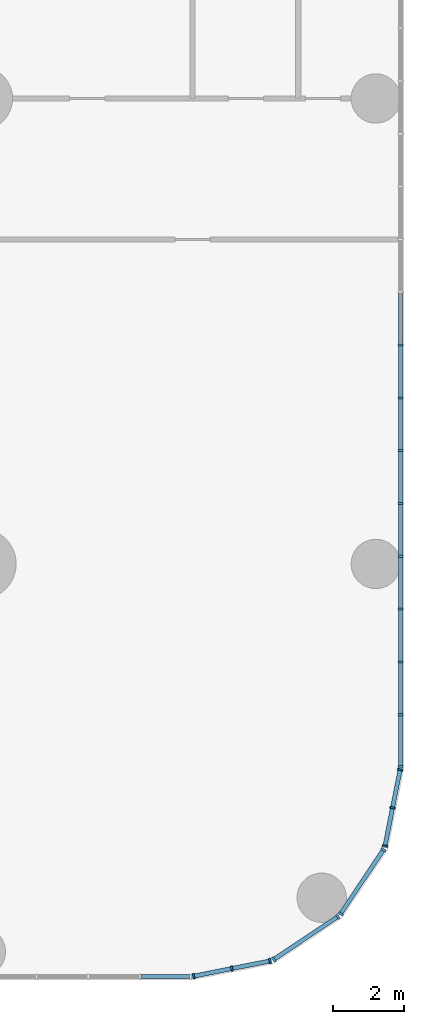
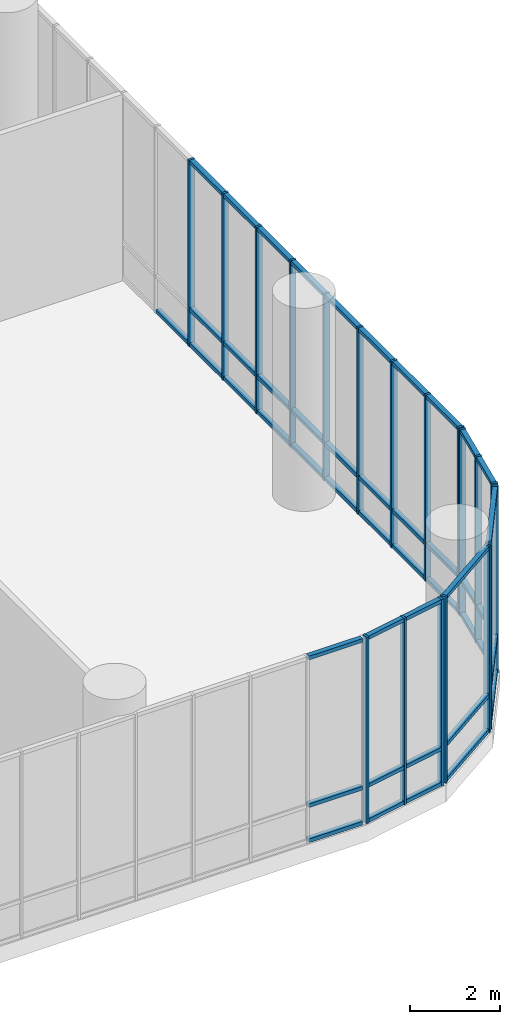
# One storey, part 11 of 28: 65 members, 6 elements without a shape of their own.
"""IFC4 building model written with IfcOpenShell, lengths in metres."""

import ifcopenshell
import ifcopenshell.guid

model = None  # the IFC model being written
_history = None  # IfcOwnerHistory: only IFC2X3 demands one
_inside = {}  # id of a spatial element -> (the spatial element, [elements in it])
_under = {}  # id of a project, library or spatial element -> (it, [spatial elements below it])
_declared = {}  # id of a project -> (the project, [libraries it declares])
_typed = {}  # id of a type object -> (the type object, [elements of that type])
_made_of = {}  # id of a material, layer set ... -> (it, [elements and type objects made of it])


def new_model(schema):
    """Start an empty IFC model of exactly this schema.

    Asked for "IFC4X3", IfcOpenShell would pick the latest addendum, in which some entities
    have other attributes; the version numbers below select the first issue.
    IFC2X3 requires an IfcOwnerHistory on every rooted entity: one is made here for all.
    """
    global model, _history
    if schema == "IFC4X3":
        model = ifcopenshell.file(schema_version=(4, 3, 0, 0))
    else:
        model = ifcopenshell.file(schema=schema)
    _inside.clear()
    _under.clear()
    _declared.clear()
    _typed.clear()
    _made_of.clear()
    _history = None
    if model.schema == "IFC2X3":
        org = make("IfcOrganization", Name="unknown")
        user = make(
            "IfcPersonAndOrganization",
            ThePerson=make("IfcPerson", FamilyName="unknown"),
            TheOrganization=org,
        )
        app = make(
            "IfcApplication",
            ApplicationDeveloper=org,
            Version="unknown",
            ApplicationFullName="unknown",
            ApplicationIdentifier="unknown",
        )
        _history = make(
            "IfcOwnerHistory",
            OwningUser=user,
            OwningApplication=app,
            ChangeAction="ADDED",
            CreationDate=0,
        )
    return model


def make(cls, **values):
    """One entity of the class cls with the attributes given. An attribute that is None is left unset."""
    return model.create_entity(
        cls, **{name: value for name, value in values.items() if value is not None}
    )


def rooted(cls, **values):
    """An entity with a GlobalId (a new one), such as an element, a storey or a relation."""
    return make(cls, GlobalId=ifcopenshell.guid.new(), OwnerHistory=_history, **values)


def si_unit(unit_type, name, prefix=None):
    """IfcSIUnit, for example si_unit("LENGTHUNIT", "METRE", prefix="MILLI")."""
    return make("IfcSIUnit", UnitType=unit_type, Prefix=prefix, Name=name)


def assignment(units):
    """IfcUnitAssignment: the units of a project."""
    return None if units is None else make("IfcUnitAssignment", Units=units)


def point(xyz):
    """IfcCartesianPoint."""
    return None if xyz is None else make("IfcCartesianPoint", Coordinates=xyz)


def direction(xyz):
    """IfcDirection."""
    return None if xyz is None else make("IfcDirection", DirectionRatios=xyz)


def frame(location, z_axis=None, x_axis=None):
    """IfcAxis2Placement3D, a coordinate frame: its origin and axes. An axis left out is left unset."""
    return make(
        "IfcAxis2Placement3D",
        Location=point(location),
        Axis=direction(z_axis),
        RefDirection=direction(x_axis),
    )


def frame_2d(location, x_axis=None):
    """IfcAxis2Placement2D, a coordinate frame in the plane: its origin and x axis."""
    return make(
        "IfcAxis2Placement2D", Location=point(location), RefDirection=direction(x_axis)
    )


def origin():
    """The frame at (0, 0, 0) with its axes left unset."""
    return frame((0.0, 0.0, 0.0))


def origin_2d():
    """The frame at (0, 0) in the plane with its x axis left unset."""
    return frame_2d((0.0, 0.0))


def place(relative_to, where):
    """IfcLocalPlacement: puts the frame where relative to a parent placement (None: the world)."""
    return make(
        "IfcLocalPlacement", PlacementRelTo=relative_to, RelativePlacement=where
    )


def context(
    kind, dimensions, precision=None, world=None, true_north=None, identifier=None
):
    """IfcGeometricRepresentationContext, for example the 3D "Model" context."""
    return make(
        "IfcGeometricRepresentationContext",
        ContextIdentifier=identifier,
        ContextType=kind,
        CoordinateSpaceDimension=dimensions,
        Precision=precision,
        WorldCoordinateSystem=world,
        TrueNorth=true_north,
    )


def subcontext(parent, identifier, kind, view, scale=None):
    """IfcGeometricRepresentationSubContext, for example "Body" below "Model"."""
    return make(
        "IfcGeometricRepresentationSubContext",
        ContextIdentifier=identifier,
        ContextType=kind,
        ParentContext=parent,
        TargetScale=scale,
        TargetView=view,
    )


def project(units=None, contexts=None):
    """IfcProject with its units and contexts."""
    return rooted(
        "IfcProject",
        Name="project",
        RepresentationContexts=contexts,
        UnitsInContext=assignment(units),
    )


def spatial(cls, under=None, at=None, **own):
    """A site, building, storey or space (cls), placed at a placement, below another one or the project."""
    s = rooted(cls, ObjectPlacement=at, **own)
    if under is not None:
        _under.setdefault(under.id(), (under, []))[1].append(s)
    return s


def profile(cls, at=None, kind="AREA", **sizes):
    """A parametric profile (cls). Its sizes go by their IFC names, for example OverallWidth=200.0."""
    return make(cls, ProfileType=kind, Position=at, **sizes)


def rectangle(**sizes):
    """IfcRectangleProfileDef."""
    return profile("IfcRectangleProfileDef", **sizes)


def extrude(swept, where, along, depth):
    """IfcExtrudedAreaSolid: the profile swept, set in the frame where, extruded along a direction by depth."""
    return make(
        "IfcExtrudedAreaSolid",
        SweptArea=swept,
        Position=where,
        ExtrudedDirection=direction(along),
        Depth=depth,
    )


def shape(context_of_items, identifier, shape_type, items):
    """IfcShapeRepresentation: the items that make up one representation, for example the "Body"."""
    return make(
        "IfcShapeRepresentation",
        ContextOfItems=context_of_items,
        RepresentationIdentifier=identifier,
        RepresentationType=shape_type,
        Items=items,
    )


def material(Name=None, Category=None):
    """IfcMaterial."""
    return make("IfcMaterial", Name=Name, Category=Category)


def layer(
    of_material, thickness, ventilated=None, Name=None, Category=None, Priority=None
):
    """IfcMaterialLayer: one layer of a wall or slab, of a material (None: an air gap)."""
    return make(
        "IfcMaterialLayer",
        Material=of_material,
        LayerThickness=thickness,
        IsVentilated=ventilated,
        Name=Name,
        Category=Category,
        Priority=Priority,
    )


def layer_set(layers, Name=None):
    """IfcMaterialLayerSet."""
    return make("IfcMaterialLayerSet", MaterialLayers=layers, LayerSetName=Name)


def material_profile(
    of_material, cross_section, Name=None, Category=None, Priority=None
):
    """IfcMaterialProfile: a cross section and its material."""
    return make(
        "IfcMaterialProfile",
        Name=Name,
        Material=of_material,
        Profile=cross_section,
        Priority=Priority,
        Category=Category,
    )


def profile_set(profiles, Name=None, composite=None):
    """IfcMaterialProfileSet."""
    return make(
        "IfcMaterialProfileSet",
        Name=Name,
        MaterialProfiles=profiles,
        CompositeProfile=composite,
    )


def made_of(thing, what):
    """Note that an element or type object is made of a material, layer set ...; save() writes the relation."""
    if what is not None:
        _made_of.setdefault(what.id(), (what, []))[1].append(thing)
    return thing


def type_object(cls, material=None, **own):
    """A type object (cls), such as IfcWallType, which elements share."""
    return made_of(rooted(cls, **own), material)


def element(
    cls,
    number,
    at=None,
    inside=None,
    cuts=None,
    type_object=None,
    material=None,
    context=None,
    identifier="Body",
    shape_type=None,
    held_by="IfcProductDefinitionShape",
    body=None,
    shapes=None,
    **own,
):
    """One element of the class cls, such as IfcWall. Its Tag is "e" and its number.

    at: its placement. inside: the storey or other place that contains it. cuts: it is an
    opening in that element (IfcRelVoidsElement). A single representation is given by context,
    identifier, shape_type and body (its items); several are given by shapes. held_by: the class
    of the entity that holds the representations. save() writes the other relations.
    """
    e = rooted(cls, Tag="e%d" % number, ObjectPlacement=at, **own)
    if body is not None:
        shapes = [shape(context, identifier, shape_type, body)]
    if shapes is not None:
        e.Representation = make(held_by, Representations=shapes)
    if inside is not None:
        _inside.setdefault(inside.id(), (inside, []))[1].append(e)
    if cuts is not None:
        rooted(
            "IfcRelVoidsElement", RelatingBuildingElement=cuts, RelatedOpeningElement=e
        )
    if type_object is not None:
        _typed.setdefault(type_object.id(), (type_object, []))[1].append(e)
    return made_of(e, material)


def aggregate(whole, parts):
    """IfcRelAggregates: a whole, such as a stair, and the parts it consists of."""
    return rooted("IfcRelAggregates", RelatingObject=whole, RelatedObjects=parts)


def save(model, path):
    """Write the relations noted so far, then the file.

    IfcRelAggregates (storeys below a building ...), IfcRelContainedInSpatialStructure (elements
    in a storey), IfcRelDefinesByType, IfcRelAssociatesMaterial and IfcRelDeclares: one each for
    every whole, place, type object, material and project.
    """
    for whole, parts in _under.values():
        aggregate(whole, parts)
    for where, things in _inside.values():
        rooted(
            "IfcRelContainedInSpatialStructure",
            RelatedElements=things,
            RelatingStructure=where,
        )
    for kind, things in _typed.values():
        rooted("IfcRelDefinesByType", RelatedObjects=things, RelatingType=kind)
    for what, things in _made_of.values():
        rooted("IfcRelAssociatesMaterial", RelatedObjects=things, RelatingMaterial=what)
    for by, libraries in _declared.values():
        rooted("IfcRelDeclares", RelatingContext=by, RelatedDefinitions=libraries)
    model.write(path)


model = new_model("IFC4")

# Units and contexts
model_context = context("Model", 3, precision=1e-05, world=origin(), true_north=direction((0.0, 1.0)))
body_context = subcontext(model_context, "Body", "Model", "MODEL_VIEW")
ifc_project = project(units=[si_unit("LENGTHUNIT", "METRE"), si_unit("AREAUNIT", "SQUARE_METRE"), si_unit("VOLUMEUNIT", "CUBIC_METRE"), si_unit("PLANEANGLEUNIT", "RADIAN"), si_unit("MASSUNIT", "GRAM", prefix="KILO")], contexts=[model_context])

# Site, building, storey
site_placement = place(None, origin())
site = spatial("IfcSite", under=ifc_project, at=site_placement, CompositionType="ELEMENT")
building_placement = place(site_placement, origin())
building = spatial("IfcBuilding", under=site, at=building_placement, Name="Torana Hotel and Residences", CompositionType="ELEMENT")
storey_placement = place(building_placement, frame((0.0, 0.0, 7.0)))
storey = spatial("IfcBuildingStorey", under=building, at=storey_placement, Name="L01", CompositionType="ELEMENT", Elevation=7.0)

# Curtain wall, members
ifc_material_1 = material(Name="Dark anodised aluminium", Category="aluminium")
ifc_layer = layer(ifc_material_1, 0.14990234375)
ifc_layer_set = layer_set([ifc_layer], Name="CW5 PODIUM UPPER UNITISED CURTAIN WALL")
curtain_wall_type = type_object("IfcCurtainWallType", Name="CW5 PODIUM UPPER UNITISED CURTAIN WALL", PredefinedType="NOTDEFINED", material=ifc_layer_set)
curtain_wall_1_placement = place(storey_placement, origin())
curtain_wall_1 = element("IfcCurtainWall", 1, at=curtain_wall_1_placement, inside=storey, type_object=curtain_wall_type, Name="Curtain wall CW5 L01 e1.1", PredefinedType="NOTDEFINED")
ifc_material_2 = material(Name="Dark anodised aluminium", Category="aluminium")
ifc_material_profile_1 = material_profile(ifc_material_2, rectangle(XDim=0.14990234375, YDim=0.06005859375, at=origin_2d()), Name="CW5 MULLION 60x150")
ifc_profile_set_1 = profile_set([ifc_material_profile_1], Name="Dark anodised aluminium")
member_type_1 = type_object("IfcMemberType", Name="CW5 MULLION 60x150", PredefinedType="MULLION", material=ifc_profile_set_1)
member_1_placement = place(storey_placement, frame((42.033935546875, -39.891357421875, 0.0), z_axis=(0.0, 0.0, 1.0), x_axis=(-0.195080996415, 0.980787135335, 0.0)))
member_1 = element("IfcMember", 2, at=member_1_placement, type_object=member_type_1, Name="CW5 mullion 1", PredefinedType="MULLION", context=body_context, shape_type="SweptSolid", body=[
    extrude(rectangle(XDim=0.14990234375, YDim=0.06005859375, at=origin_2d()), origin(), (0.0, 0.0, 1.0), 5.050048828125),
])
member_2_placement = place(storey_placement, frame((43.1162109375, -39.676025390625, 0.0), z_axis=(0.0, 0.0, 1.0), x_axis=(-0.195080996415, 0.980787135335, 0.0)))
member_2 = element("IfcMember", 3, at=member_2_placement, type_object=member_type_1, Name="CW5 mullion 2", PredefinedType="MULLION", context=body_context, shape_type="SweptSolid", body=[
    extrude(rectangle(XDim=0.14990234375, YDim=0.06005859375, at=origin_2d()), origin(), (0.0, 0.0, 1.0), 5.050048828125),
])
member_3_placement = place(storey_placement, frame((44.198486328125, -39.460693359375, 0.0), z_axis=(0.0, 0.0, 1.0), x_axis=(-0.195080996415, 0.980787135335, 0.0)))
member_3 = element("IfcMember", 4, at=member_3_placement, type_object=member_type_1, Name="CW5 mullion 3", PredefinedType="MULLION", context=body_context, shape_type="SweptSolid", body=[
    extrude(rectangle(XDim=0.14990234375, YDim=0.06005859375, at=origin_2d()), origin(), (0.0, 0.0, 1.0), 5.050048828125),
])

curtain_wall_2_placement = place(storey_placement, origin())
curtain_wall_2 = element("IfcCurtainWall", 5, at=curtain_wall_2_placement, inside=storey, type_object=curtain_wall_type, Name="Curtain wall CW5 L01 e1.2", PredefinedType="NOTDEFINED")
member_4_placement = place(storey_placement, frame((44.306884765625, -39.415771484375, 0.0), z_axis=(0.0, 0.0, 1.0), x_axis=(-0.555585238723, 0.831459585616, 0.0)))
member_4 = element("IfcMember", 6, at=member_4_placement, type_object=member_type_1, Name="CW5 mullion 1", PredefinedType="MULLION", context=body_context, shape_type="SweptSolid", body=[
    extrude(rectangle(XDim=0.14990234375, YDim=0.06005859375, at=origin_2d()), origin(), (0.0, 0.0, 1.0), 5.050048828125),
])
member_5_placement = place(storey_placement, frame((46.120849609375, -38.203857421875, 0.0), z_axis=(0.0, 0.0, 1.0), x_axis=(-0.555585238723, 0.831459585616, 0.0)))
member_5 = element("IfcMember", 7, at=member_5_placement, type_object=member_type_1, Name="CW5 mullion 2", PredefinedType="MULLION", context=body_context, shape_type="SweptSolid", body=[
    extrude(rectangle(XDim=0.14990234375, YDim=0.06005859375, at=origin_2d()), origin(), (0.0, 0.0, 1.0), 5.050048828125),
])

curtain_wall_3_placement = place(storey_placement, origin())
curtain_wall_3 = element("IfcCurtainWall", 8, at=curtain_wall_3_placement, inside=storey, type_object=curtain_wall_type, Name="Curtain wall CW5 L01 e1.3", PredefinedType="NOTDEFINED")
member_6_placement = place(storey_placement, frame((46.203857421875, -38.120849609375, 0.0), z_axis=(0.0, 0.0, 1.0), x_axis=(-0.831459585616, 0.555585238723, 0.0)))
member_6 = element("IfcMember", 9, at=member_6_placement, type_object=member_type_1, Name="CW5 mullion 1", PredefinedType="MULLION", context=body_context, shape_type="SweptSolid", body=[
    extrude(rectangle(XDim=0.14990234375, YDim=0.06005859375, at=origin_2d()), origin(), (0.0, 0.0, 1.0), 5.050048828125),
])
member_7_placement = place(storey_placement, frame((47.415771484375, -36.306884765625, 0.0), z_axis=(0.0, 0.0, 1.0), x_axis=(-0.831459585616, 0.555585238723, 0.0)))
member_7 = element("IfcMember", 10, at=member_7_placement, type_object=member_type_1, Name="CW5 mullion 2", PredefinedType="MULLION", context=body_context, shape_type="SweptSolid", body=[
    extrude(rectangle(XDim=0.14990234375, YDim=0.06005859375, at=origin_2d()), origin(), (0.0, 0.0, 1.0), 5.050048828125),
])

curtain_wall_4_placement = place(storey_placement, origin())
curtain_wall_4 = element("IfcCurtainWall", 11, at=curtain_wall_4_placement, inside=storey, type_object=curtain_wall_type, Name="Curtain wall CW5 L01 e1.4", PredefinedType="NOTDEFINED")
member_8_placement = place(storey_placement, frame((47.460693359375, -36.198486328125, 0.0), z_axis=(0.0, 0.0, 1.0), x_axis=(-0.980787135335, 0.195080996415, 0.0)))
member_8 = element("IfcMember", 12, at=member_8_placement, type_object=member_type_1, Name="CW5 mullion 1", PredefinedType="MULLION", context=body_context, shape_type="SweptSolid", body=[
    extrude(rectangle(XDim=0.14990234375, YDim=0.06005859375, at=origin_2d()), origin(), (0.0, 0.0, 1.0), 5.050048828125),
])
member_9_placement = place(storey_placement, frame((47.676025390625, -35.1162109375, 0.0), z_axis=(0.0, 0.0, 1.0), x_axis=(-0.980787135335, 0.195080996415, 0.0)))
member_9 = element("IfcMember", 13, at=member_9_placement, type_object=member_type_1, Name="CW5 mullion 2", PredefinedType="MULLION", context=body_context, shape_type="SweptSolid", body=[
    extrude(rectangle(XDim=0.14990234375, YDim=0.06005859375, at=origin_2d()), origin(), (0.0, 0.0, 1.0), 5.050048828125),
])
member_10_placement = place(storey_placement, frame((47.891357421875, -34.033935546875, 0.0), z_axis=(0.0, 0.0, 1.0), x_axis=(-0.980787135335, 0.195080996415, 0.0)))
member_10 = element("IfcMember", 14, at=member_10_placement, type_object=member_type_1, Name="CW5 mullion 3", PredefinedType="MULLION", context=body_context, shape_type="SweptSolid", body=[
    extrude(rectangle(XDim=0.14990234375, YDim=0.06005859375, at=origin_2d()), origin(), (0.0, 0.0, 1.0), 5.050048828125),
])

curtain_wall_5_placement = place(storey_placement, origin())
curtain_wall_5 = element("IfcCurtainWall", 15, at=curtain_wall_5_placement, inside=storey, type_object=curtain_wall_type, Name="Curtain wall CW5 L01 e1.5", PredefinedType="NOTDEFINED")
member_11_placement = place(storey_placement, frame((47.89990234375, -33.9453125, 0.0), z_axis=(0.0, 0.0, 1.0), x_axis=(-1.0, 0.0, 0.0)))
member_11 = element("IfcMember", 16, at=member_11_placement, type_object=member_type_1, Name="CW5 mullion 1", PredefinedType="MULLION", context=body_context, shape_type="SweptSolid", body=[
    extrude(rectangle(XDim=0.14990234375, YDim=0.06005859375, at=origin_2d()), origin(), (0.0, 0.0, 1.0), 5.050048828125),
])
member_12_placement = place(storey_placement, frame((47.89990234375, -32.4775390625, 0.0), z_axis=(0.0, 0.0, 1.0), x_axis=(-1.0, 0.0, 0.0)))
member_12 = element("IfcMember", 17, at=member_12_placement, type_object=member_type_1, Name="CW5 mullion 2", PredefinedType="MULLION", context=body_context, shape_type="SweptSolid", body=[
    extrude(rectangle(XDim=0.14990234375, YDim=0.06005859375, at=origin_2d()), origin(), (0.0, 0.0, 1.0), 5.050048828125),
])
member_13_placement = place(storey_placement, frame((47.89990234375, -30.9794921875, 0.0), z_axis=(0.0, 0.0, 1.0), x_axis=(-1.0, 0.0, 0.0)))
member_13 = element("IfcMember", 18, at=member_13_placement, type_object=member_type_1, Name="CW5 mullion 3", PredefinedType="MULLION", context=body_context, shape_type="SweptSolid", body=[
    extrude(rectangle(XDim=0.14990234375, YDim=0.06005859375, at=origin_2d()), origin(), (0.0, 0.0, 1.0), 5.050048828125),
])
member_14_placement = place(storey_placement, frame((47.89990234375, -29.4814453125, 0.0), z_axis=(0.0, 0.0, 1.0), x_axis=(-1.0, 0.0, 0.0)))
member_14 = element("IfcMember", 19, at=member_14_placement, type_object=member_type_1, Name="CW5 mullion 4", PredefinedType="MULLION", context=body_context, shape_type="SweptSolid", body=[
    extrude(rectangle(XDim=0.14990234375, YDim=0.06005859375, at=origin_2d()), origin(), (0.0, 0.0, 1.0), 5.050048828125),
])
member_15_placement = place(storey_placement, frame((47.89990234375, -27.983642578125, 0.0), z_axis=(0.0, 0.0, 1.0), x_axis=(-1.0, 0.0, 0.0)))
member_15 = element("IfcMember", 20, at=member_15_placement, type_object=member_type_1, Name="CW5 mullion 5", PredefinedType="MULLION", context=body_context, shape_type="SweptSolid", body=[
    extrude(rectangle(XDim=0.14990234375, YDim=0.06005859375, at=origin_2d()), origin(), (0.0, 0.0, 1.0), 5.050048828125),
])
member_16_placement = place(storey_placement, frame((47.89990234375, -26.485595703125, 0.0), z_axis=(0.0, 0.0, 1.0), x_axis=(-1.0, 0.0, 0.0)))
member_16 = element("IfcMember", 21, at=member_16_placement, type_object=member_type_1, Name="CW5 mullion 6", PredefinedType="MULLION", context=body_context, shape_type="SweptSolid", body=[
    extrude(rectangle(XDim=0.14990234375, YDim=0.06005859375, at=origin_2d()), origin(), (0.0, 0.0, 1.0), 5.050048828125),
])
member_17_placement = place(storey_placement, frame((47.89990234375, -24.98779296875, 0.0), z_axis=(0.0, 0.0, 1.0), x_axis=(-1.0, 0.0, 0.0)))
member_17 = element("IfcMember", 22, at=member_17_placement, type_object=member_type_1, Name="CW5 mullion 7", PredefinedType="MULLION", context=body_context, shape_type="SweptSolid", body=[
    extrude(rectangle(XDim=0.14990234375, YDim=0.06005859375, at=origin_2d()), origin(), (0.0, 0.0, 1.0), 5.050048828125),
])
member_18_placement = place(storey_placement, frame((47.89990234375, -23.48974609375, 0.0), z_axis=(0.0, 0.0, 1.0), x_axis=(-1.0, 0.0, 0.0)))
member_18 = element("IfcMember", 23, at=member_18_placement, type_object=member_type_1, Name="CW5 mullion 8", PredefinedType="MULLION", context=body_context, shape_type="SweptSolid", body=[
    extrude(rectangle(XDim=0.14990234375, YDim=0.06005859375, at=origin_2d()), origin(), (0.0, 0.0, 1.0), 5.050048828125),
])
member_19_placement = place(storey_placement, frame((47.89990234375, -21.99169921875, 0.0), z_axis=(0.0, 0.0, 1.0), x_axis=(-1.0, 0.0, 0.0)))
member_19 = element("IfcMember", 24, at=member_19_placement, type_object=member_type_1, Name="CW5 mullion 9", PredefinedType="MULLION", context=body_context, shape_type="SweptSolid", body=[
    extrude(rectangle(XDim=0.14990234375, YDim=0.06005859375, at=origin_2d()), origin(), (0.0, 0.0, 1.0), 5.050048828125),
])

curtain_wall_6_placement = place(storey_placement, origin())
curtain_wall_6 = element("IfcCurtainWall", 25, at=curtain_wall_6_placement, inside=storey, type_object=curtain_wall_type, Name="Curtain wall CW5 L01 e1.0", PredefinedType="NOTDEFINED")
ifc_material_3 = material(Name="Dark anodised aluminium", Category="aluminium")
ifc_material_profile_2 = material_profile(ifc_material_3, rectangle(XDim=0.1201171875, YDim=0.10009765625, at=origin_2d()), Name="CW5 TRANSOM 120x100")
ifc_profile_set_2 = profile_set([ifc_material_profile_2], Name="Dark anodised aluminium")
member_type_2 = type_object("IfcMemberType", Name="CW5 TRANSOM 120x100", PredefinedType="USERDEFINED", material=ifc_profile_set_2)
member_20_placement = place(storey_placement, frame((40.539794921875, -39.89990234375, 0.050048828125), z_axis=(1.0, 0.0, 0.0), x_axis=(0.0, 1.0, 0.0)))
member_20 = element("IfcMember", 26, at=member_20_placement, type_object=member_type_2, Name="CW5 transom 21.1", ObjectType="TRANSOM", PredefinedType="USERDEFINED", context=body_context, shape_type="SweptSolid", body=[
    extrude(rectangle(XDim=0.1201171875, YDim=0.10009765625, at=origin_2d()), origin(), (0.0, 0.0, 1.0), 1.37548828125),
])
member_21_placement = place(storey_placement, frame((40.539794921875, -39.89990234375, 1.0), z_axis=(1.0, 0.0, 0.0), x_axis=(0.0, 1.0, 0.0)))
member_21 = element("IfcMember", 27, at=member_21_placement, type_object=member_type_2, Name="CW5 transom 21.2", ObjectType="TRANSOM", PredefinedType="USERDEFINED", context=body_context, shape_type="SweptSolid", body=[
    extrude(rectangle(XDim=0.1201171875, YDim=0.10009765625, at=origin_2d()), origin(), (0.0, 0.0, 1.0), 1.37548828125),
])
member_22_placement = place(storey_placement, frame((40.539794921875, -39.89990234375, 5.0), z_axis=(1.0, 0.0, 0.0), x_axis=(0.0, 1.0, 0.0)))
member_22 = element("IfcMember", 28, at=member_22_placement, type_object=member_type_2, Name="CW5 transom 21.3", ObjectType="TRANSOM", PredefinedType="USERDEFINED", context=body_context, shape_type="SweptSolid", body=[
    extrude(rectangle(XDim=0.1201171875, YDim=0.10009765625, at=origin_2d()), origin(), (0.0, 0.0, 1.0), 1.37548828125),
])
aggregate(curtain_wall_6, [member_20, member_21, member_22])

# Member
member_23_placement = place(storey_placement, frame((42.0634765625, -39.885498046875, 0.050048828125), z_axis=(0.980769234765, 0.195170971557, 0.0), x_axis=(-0.195170971557, 0.980769234765, 0.0)))
member_23 = element("IfcMember", 29, at=member_23_placement, type_object=member_type_2, Name="CW5 transom 1.1", ObjectType="TRANSOM", PredefinedType="USERDEFINED", context=body_context, shape_type="SweptSolid", body=[
    extrude(rectangle(XDim=0.1201171875, YDim=0.10009765625, at=origin_2d()), origin(), (0.0, 0.0, 1.0), 1.043212890625),
])

member_24_placement = place(storey_placement, frame((42.0634765625, -39.885498046875, 1.0), z_axis=(0.980769234765, 0.195170971557, 0.0), x_axis=(-0.195170971557, 0.980769234765, 0.0)))
member_24 = element("IfcMember", 30, at=member_24_placement, type_object=member_type_2, Name="CW5 transom 1.2", ObjectType="TRANSOM", PredefinedType="USERDEFINED", context=body_context, shape_type="SweptSolid", body=[
    extrude(rectangle(XDim=0.1201171875, YDim=0.10009765625, at=origin_2d()), origin(), (0.0, 0.0, 1.0), 1.043212890625),
])

member_25_placement = place(storey_placement, frame((42.0634765625, -39.885498046875, 5.0), z_axis=(0.980769234765, 0.195170971557, 0.0), x_axis=(-0.195170971557, 0.980769234765, 0.0)))
member_25 = element("IfcMember", 31, at=member_25_placement, type_object=member_type_2, Name="CW5 transom 1.3", ObjectType="TRANSOM", PredefinedType="USERDEFINED", context=body_context, shape_type="SweptSolid", body=[
    extrude(rectangle(XDim=0.1201171875, YDim=0.10009765625, at=origin_2d()), origin(), (0.0, 0.0, 1.0), 1.043212890625),
])

member_26_placement = place(storey_placement, frame((43.1455078125, -39.670166015625, 0.050048828125), z_axis=(0.980778145841, 0.195126186458, 0.0), x_axis=(-0.195126186458, 0.980778145841, 0.0)))
member_26 = element("IfcMember", 32, at=member_26_placement, type_object=member_type_2, Name="CW5 transom 2.1", ObjectType="TRANSOM", PredefinedType="USERDEFINED", context=body_context, shape_type="SweptSolid", body=[
    extrude(rectangle(XDim=0.1201171875, YDim=0.10009765625, at=origin_2d()), origin(), (0.0, 0.0, 1.0), 1.04345703125),
])

member_27_placement = place(storey_placement, frame((43.1455078125, -39.670166015625, 1.0), z_axis=(0.980778145841, 0.195126186458, 0.0), x_axis=(-0.195126186458, 0.980778145841, 0.0)))
member_27 = element("IfcMember", 33, at=member_27_placement, type_object=member_type_2, Name="CW5 transom 2.2", ObjectType="TRANSOM", PredefinedType="USERDEFINED", context=body_context, shape_type="SweptSolid", body=[
    extrude(rectangle(XDim=0.1201171875, YDim=0.10009765625, at=origin_2d()), origin(), (0.0, 0.0, 1.0), 1.04345703125),
])

member_28_placement = place(storey_placement, frame((43.1455078125, -39.670166015625, 5.0), z_axis=(0.980778145841, 0.195126186458, 0.0), x_axis=(-0.195126186458, 0.980778145841, 0.0)))
member_28 = element("IfcMember", 34, at=member_28_placement, type_object=member_type_2, Name="CW5 transom 2.3", ObjectType="TRANSOM", PredefinedType="USERDEFINED", context=body_context, shape_type="SweptSolid", body=[
    extrude(rectangle(XDim=0.1201171875, YDim=0.10009765625, at=origin_2d()), origin(), (0.0, 0.0, 1.0), 1.04345703125),
])

aggregate(curtain_wall_1, [member_1, member_2, member_3, member_23, member_24, member_25, member_26, member_27, member_28])

member_29_placement = place(storey_placement, frame((44.331787109375, -39.399169921875, 0.050048828125), z_axis=(0.831447851219, 0.555602799403, 0.0), x_axis=(-0.555602799403, 0.831447851219, 0.0)))
member_29 = element("IfcMember", 35, at=member_29_placement, type_object=member_type_2, Name="CW5 transom 1.1", ObjectType="TRANSOM", PredefinedType="USERDEFINED", context=body_context, shape_type="SweptSolid", body=[
    extrude(rectangle(XDim=0.1201171875, YDim=0.10009765625, at=origin_2d()), origin(), (0.0, 0.0, 1.0), 2.12158203125),
])

member_30_placement = place(storey_placement, frame((44.331787109375, -39.399169921875, 1.0), z_axis=(0.831447851219, 0.555602799403, 0.0), x_axis=(-0.555602799403, 0.831447851219, 0.0)))
member_30 = element("IfcMember", 36, at=member_30_placement, type_object=member_type_2, Name="CW5 transom 1.2", ObjectType="TRANSOM", PredefinedType="USERDEFINED", context=body_context, shape_type="SweptSolid", body=[
    extrude(rectangle(XDim=0.1201171875, YDim=0.10009765625, at=origin_2d()), origin(), (0.0, 0.0, 1.0), 2.12158203125),
])

member_31_placement = place(storey_placement, frame((44.331787109375, -39.399169921875, 5.0), z_axis=(0.831447851219, 0.555602799403, 0.0), x_axis=(-0.555602799403, 0.831447851219, 0.0)))
member_31 = element("IfcMember", 37, at=member_31_placement, type_object=member_type_2, Name="CW5 transom 1.3", ObjectType="TRANSOM", PredefinedType="USERDEFINED", context=body_context, shape_type="SweptSolid", body=[
    extrude(rectangle(XDim=0.1201171875, YDim=0.10009765625, at=origin_2d()), origin(), (0.0, 0.0, 1.0), 2.12158203125),
])

aggregate(curtain_wall_2, [member_4, member_5, member_29, member_30, member_31])

member_32_placement = place(storey_placement, frame((46.220458984375, -38.095703125, 0.050048828125), z_axis=(0.555602799403, 0.831447851219, 0.0), x_axis=(-0.831447851219, 0.555602799403, 0.0)))
member_32 = element("IfcMember", 38, at=member_32_placement, type_object=member_type_2, Name="CW5 transom 1.1", ObjectType="TRANSOM", PredefinedType="USERDEFINED", context=body_context, shape_type="SweptSolid", body=[
    extrude(rectangle(XDim=0.1201171875, YDim=0.10009765625, at=origin_2d()), origin(), (0.0, 0.0, 1.0), 2.12158203125),
])

member_33_placement = place(storey_placement, frame((46.220458984375, -38.095703125, 1.0), z_axis=(0.555602799403, 0.831447851219, 0.0), x_axis=(-0.831447851219, 0.555602799403, 0.0)))
member_33 = element("IfcMember", 39, at=member_33_placement, type_object=member_type_2, Name="CW5 transom 1.2", ObjectType="TRANSOM", PredefinedType="USERDEFINED", context=body_context, shape_type="SweptSolid", body=[
    extrude(rectangle(XDim=0.1201171875, YDim=0.10009765625, at=origin_2d()), origin(), (0.0, 0.0, 1.0), 2.12158203125),
])

member_34_placement = place(storey_placement, frame((46.220458984375, -38.095703125, 5.0), z_axis=(0.555602799403, 0.831447851219, 0.0), x_axis=(-0.831447851219, 0.555602799403, 0.0)))
member_34 = element("IfcMember", 40, at=member_34_placement, type_object=member_type_2, Name="CW5 transom 1.3", ObjectType="TRANSOM", PredefinedType="USERDEFINED", context=body_context, shape_type="SweptSolid", body=[
    extrude(rectangle(XDim=0.1201171875, YDim=0.10009765625, at=origin_2d()), origin(), (0.0, 0.0, 1.0), 2.12158203125),
])

aggregate(curtain_wall_3, [member_6, member_7, member_32, member_33, member_34])

member_35_placement = place(storey_placement, frame((47.466552734375, -36.1689453125, 0.050048828125), z_axis=(0.195126186458, 0.980778145841, 0.0), x_axis=(-0.980778145841, 0.195126186458, 0.0)))
member_35 = element("IfcMember", 41, at=member_35_placement, type_object=member_type_2, Name="CW5 transom 1.1", ObjectType="TRANSOM", PredefinedType="USERDEFINED", context=body_context, shape_type="SweptSolid", body=[
    extrude(rectangle(XDim=0.1201171875, YDim=0.10009765625, at=origin_2d()), origin(), (0.0, 0.0, 1.0), 1.04345703125),
])

member_36_placement = place(storey_placement, frame((47.466552734375, -36.1689453125, 1.0), z_axis=(0.195126186458, 0.980778145841, 0.0), x_axis=(-0.980778145841, 0.195126186458, 0.0)))
member_36 = element("IfcMember", 42, at=member_36_placement, type_object=member_type_2, Name="CW5 transom 1.2", ObjectType="TRANSOM", PredefinedType="USERDEFINED", context=body_context, shape_type="SweptSolid", body=[
    extrude(rectangle(XDim=0.1201171875, YDim=0.10009765625, at=origin_2d()), origin(), (0.0, 0.0, 1.0), 1.04345703125),
])

member_37_placement = place(storey_placement, frame((47.466552734375, -36.1689453125, 5.0), z_axis=(0.195126186458, 0.980778145841, 0.0), x_axis=(-0.980778145841, 0.195126186458, 0.0)))
member_37 = element("IfcMember", 43, at=member_37_placement, type_object=member_type_2, Name="CW5 transom 1.3", ObjectType="TRANSOM", PredefinedType="USERDEFINED", context=body_context, shape_type="SweptSolid", body=[
    extrude(rectangle(XDim=0.1201171875, YDim=0.10009765625, at=origin_2d()), origin(), (0.0, 0.0, 1.0), 1.04345703125),
])

member_38_placement = place(storey_placement, frame((47.681884765625, -35.086669921875, 0.050048828125), z_axis=(0.195170971557, 0.980769234765, 0.0), x_axis=(-0.980769234765, 0.195170971557, 0.0)))
member_38 = element("IfcMember", 44, at=member_38_placement, type_object=member_type_2, Name="CW5 transom 2.1", ObjectType="TRANSOM", PredefinedType="USERDEFINED", context=body_context, shape_type="SweptSolid", body=[
    extrude(rectangle(XDim=0.1201171875, YDim=0.10009765625, at=origin_2d()), origin(), (0.0, 0.0, 1.0), 1.043212890625),
])

member_39_placement = place(storey_placement, frame((47.681884765625, -35.086669921875, 1.0), z_axis=(0.195170971557, 0.980769234765, 0.0), x_axis=(-0.980769234765, 0.195170971557, 0.0)))
member_39 = element("IfcMember", 45, at=member_39_placement, type_object=member_type_2, Name="CW5 transom 2.2", ObjectType="TRANSOM", PredefinedType="USERDEFINED", context=body_context, shape_type="SweptSolid", body=[
    extrude(rectangle(XDim=0.1201171875, YDim=0.10009765625, at=origin_2d()), origin(), (0.0, 0.0, 1.0), 1.043212890625),
])

member_40_placement = place(storey_placement, frame((47.681884765625, -35.086669921875, 5.0), z_axis=(0.195170971557, 0.980769234765, 0.0), x_axis=(-0.980769234765, 0.195170971557, 0.0)))
member_40 = element("IfcMember", 46, at=member_40_placement, type_object=member_type_2, Name="CW5 transom 2.3", ObjectType="TRANSOM", PredefinedType="USERDEFINED", context=body_context, shape_type="SweptSolid", body=[
    extrude(rectangle(XDim=0.1201171875, YDim=0.10009765625, at=origin_2d()), origin(), (0.0, 0.0, 1.0), 1.043212890625),
])

aggregate(curtain_wall_4, [member_8, member_9, member_10, member_35, member_36, member_37, member_38, member_39, member_40])

member_41_placement = place(storey_placement, frame((47.89990234375, -33.915283203125, 0.050048828125), z_axis=(0.0, 1.0, 0.0), x_axis=(-1.0, 0.0, 0.0)))
member_41 = element("IfcMember", 47, at=member_41_placement, type_object=member_type_2, Name="CW5 transom 1.1", ObjectType="TRANSOM", PredefinedType="USERDEFINED", context=body_context, shape_type="SweptSolid", body=[
    extrude(rectangle(XDim=0.1201171875, YDim=0.10009765625, at=origin_2d()), origin(), (0.0, 0.0, 1.0), 1.40771484375),
])

member_42_placement = place(storey_placement, frame((47.89990234375, -33.915283203125, 1.0), z_axis=(0.0, 1.0, 0.0), x_axis=(-1.0, 0.0, 0.0)))
member_42 = element("IfcMember", 48, at=member_42_placement, type_object=member_type_2, Name="CW5 transom 1.2", ObjectType="TRANSOM", PredefinedType="USERDEFINED", context=body_context, shape_type="SweptSolid", body=[
    extrude(rectangle(XDim=0.1201171875, YDim=0.10009765625, at=origin_2d()), origin(), (0.0, 0.0, 1.0), 1.40771484375),
])

member_43_placement = place(storey_placement, frame((47.89990234375, -33.915283203125, 5.0), z_axis=(0.0, 1.0, 0.0), x_axis=(-1.0, 0.0, 0.0)))
member_43 = element("IfcMember", 49, at=member_43_placement, type_object=member_type_2, Name="CW5 transom 1.3", ObjectType="TRANSOM", PredefinedType="USERDEFINED", context=body_context, shape_type="SweptSolid", body=[
    extrude(rectangle(XDim=0.1201171875, YDim=0.10009765625, at=origin_2d()), origin(), (0.0, 0.0, 1.0), 1.40771484375),
])

member_44_placement = place(storey_placement, frame((47.89990234375, -32.447509765625, 0.050048828125), z_axis=(0.0, 1.0, 0.0), x_axis=(-1.0, 0.0, 0.0)))
member_44 = element("IfcMember", 50, at=member_44_placement, type_object=member_type_2, Name="CW5 transom 2.1", ObjectType="TRANSOM", PredefinedType="USERDEFINED", context=body_context, shape_type="SweptSolid", body=[
    extrude(rectangle(XDim=0.1201171875, YDim=0.10009765625, at=origin_2d()), origin(), (0.0, 0.0, 1.0), 1.43798828125),
])

member_45_placement = place(storey_placement, frame((47.89990234375, -32.447509765625, 1.0), z_axis=(0.0, 1.0, 0.0), x_axis=(-1.0, 0.0, 0.0)))
member_45 = element("IfcMember", 51, at=member_45_placement, type_object=member_type_2, Name="CW5 transom 2.2", ObjectType="TRANSOM", PredefinedType="USERDEFINED", context=body_context, shape_type="SweptSolid", body=[
    extrude(rectangle(XDim=0.1201171875, YDim=0.10009765625, at=origin_2d()), origin(), (0.0, 0.0, 1.0), 1.43798828125),
])

member_46_placement = place(storey_placement, frame((47.89990234375, -32.447509765625, 5.0), z_axis=(0.0, 1.0, 0.0), x_axis=(-1.0, 0.0, 0.0)))
member_46 = element("IfcMember", 52, at=member_46_placement, type_object=member_type_2, Name="CW5 transom 2.3", ObjectType="TRANSOM", PredefinedType="USERDEFINED", context=body_context, shape_type="SweptSolid", body=[
    extrude(rectangle(XDim=0.1201171875, YDim=0.10009765625, at=origin_2d()), origin(), (0.0, 0.0, 1.0), 1.43798828125),
])

member_47_placement = place(storey_placement, frame((47.89990234375, -30.949462890625, 0.050048828125), z_axis=(0.0, 1.0, 0.0), x_axis=(-1.0, 0.0, 0.0)))
member_47 = element("IfcMember", 53, at=member_47_placement, type_object=member_type_2, Name="CW5 transom 3.1", ObjectType="TRANSOM", PredefinedType="USERDEFINED", context=body_context, shape_type="SweptSolid", body=[
    extrude(rectangle(XDim=0.1201171875, YDim=0.10009765625, at=origin_2d()), origin(), (0.0, 0.0, 1.0), 1.43798828125),
])

member_48_placement = place(storey_placement, frame((47.89990234375, -30.949462890625, 1.0), z_axis=(0.0, 1.0, 0.0), x_axis=(-1.0, 0.0, 0.0)))
member_48 = element("IfcMember", 54, at=member_48_placement, type_object=member_type_2, Name="CW5 transom 3.2", ObjectType="TRANSOM", PredefinedType="USERDEFINED", context=body_context, shape_type="SweptSolid", body=[
    extrude(rectangle(XDim=0.1201171875, YDim=0.10009765625, at=origin_2d()), origin(), (0.0, 0.0, 1.0), 1.43798828125),
])

member_49_placement = place(storey_placement, frame((47.89990234375, -30.949462890625, 5.0), z_axis=(0.0, 1.0, 0.0), x_axis=(-1.0, 0.0, 0.0)))
member_49 = element("IfcMember", 55, at=member_49_placement, type_object=member_type_2, Name="CW5 transom 3.3", ObjectType="TRANSOM", PredefinedType="USERDEFINED", context=body_context, shape_type="SweptSolid", body=[
    extrude(rectangle(XDim=0.1201171875, YDim=0.10009765625, at=origin_2d()), origin(), (0.0, 0.0, 1.0), 1.43798828125),
])

member_50_placement = place(storey_placement, frame((47.89990234375, -29.45166015625, 0.050048828125), z_axis=(0.0, 1.0, 0.0), x_axis=(-1.0, 0.0, 0.0)))
member_50 = element("IfcMember", 56, at=member_50_placement, type_object=member_type_2, Name="CW5 transom 4.1", ObjectType="TRANSOM", PredefinedType="USERDEFINED", context=body_context, shape_type="SweptSolid", body=[
    extrude(rectangle(XDim=0.1201171875, YDim=0.10009765625, at=origin_2d()), origin(), (0.0, 0.0, 1.0), 1.43798828125),
])

member_51_placement = place(storey_placement, frame((47.89990234375, -29.45166015625, 1.0), z_axis=(0.0, 1.0, 0.0), x_axis=(-1.0, 0.0, 0.0)))
member_51 = element("IfcMember", 57, at=member_51_placement, type_object=member_type_2, Name="CW5 transom 4.2", ObjectType="TRANSOM", PredefinedType="USERDEFINED", context=body_context, shape_type="SweptSolid", body=[
    extrude(rectangle(XDim=0.1201171875, YDim=0.10009765625, at=origin_2d()), origin(), (0.0, 0.0, 1.0), 1.43798828125),
])

member_52_placement = place(storey_placement, frame((47.89990234375, -29.45166015625, 5.0), z_axis=(0.0, 1.0, 0.0), x_axis=(-1.0, 0.0, 0.0)))
member_52 = element("IfcMember", 58, at=member_52_placement, type_object=member_type_2, Name="CW5 transom 4.3", ObjectType="TRANSOM", PredefinedType="USERDEFINED", context=body_context, shape_type="SweptSolid", body=[
    extrude(rectangle(XDim=0.1201171875, YDim=0.10009765625, at=origin_2d()), origin(), (0.0, 0.0, 1.0), 1.43798828125),
])

member_53_placement = place(storey_placement, frame((47.89990234375, -27.95361328125, 0.050048828125), z_axis=(0.0, 1.0, 0.0), x_axis=(-1.0, 0.0, 0.0)))
member_53 = element("IfcMember", 59, at=member_53_placement, type_object=member_type_2, Name="CW5 transom 5.1", ObjectType="TRANSOM", PredefinedType="USERDEFINED", context=body_context, shape_type="SweptSolid", body=[
    extrude(rectangle(XDim=0.1201171875, YDim=0.10009765625, at=origin_2d()), origin(), (0.0, 0.0, 1.0), 1.43798828125),
])

member_54_placement = place(storey_placement, frame((47.89990234375, -27.95361328125, 1.0), z_axis=(0.0, 1.0, 0.0), x_axis=(-1.0, 0.0, 0.0)))
member_54 = element("IfcMember", 60, at=member_54_placement, type_object=member_type_2, Name="CW5 transom 5.2", ObjectType="TRANSOM", PredefinedType="USERDEFINED", context=body_context, shape_type="SweptSolid", body=[
    extrude(rectangle(XDim=0.1201171875, YDim=0.10009765625, at=origin_2d()), origin(), (0.0, 0.0, 1.0), 1.43798828125),
])

member_55_placement = place(storey_placement, frame((47.89990234375, -27.95361328125, 5.0), z_axis=(0.0, 1.0, 0.0), x_axis=(-1.0, 0.0, 0.0)))
member_55 = element("IfcMember", 61, at=member_55_placement, type_object=member_type_2, Name="CW5 transom 5.3", ObjectType="TRANSOM", PredefinedType="USERDEFINED", context=body_context, shape_type="SweptSolid", body=[
    extrude(rectangle(XDim=0.1201171875, YDim=0.10009765625, at=origin_2d()), origin(), (0.0, 0.0, 1.0), 1.43798828125),
])

member_56_placement = place(storey_placement, frame((47.89990234375, -26.45556640625, 0.050048828125), z_axis=(0.0, 1.0, 0.0), x_axis=(-1.0, 0.0, 0.0)))
member_56 = element("IfcMember", 62, at=member_56_placement, type_object=member_type_2, Name="CW5 transom 6.1", ObjectType="TRANSOM", PredefinedType="USERDEFINED", context=body_context, shape_type="SweptSolid", body=[
    extrude(rectangle(XDim=0.1201171875, YDim=0.10009765625, at=origin_2d()), origin(), (0.0, 0.0, 1.0), 1.43798828125),
])

member_57_placement = place(storey_placement, frame((47.89990234375, -26.45556640625, 1.0), z_axis=(0.0, 1.0, 0.0), x_axis=(-1.0, 0.0, 0.0)))
member_57 = element("IfcMember", 63, at=member_57_placement, type_object=member_type_2, Name="CW5 transom 6.2", ObjectType="TRANSOM", PredefinedType="USERDEFINED", context=body_context, shape_type="SweptSolid", body=[
    extrude(rectangle(XDim=0.1201171875, YDim=0.10009765625, at=origin_2d()), origin(), (0.0, 0.0, 1.0), 1.43798828125),
])

member_58_placement = place(storey_placement, frame((47.89990234375, -26.45556640625, 5.0), z_axis=(0.0, 1.0, 0.0), x_axis=(-1.0, 0.0, 0.0)))
member_58 = element("IfcMember", 64, at=member_58_placement, type_object=member_type_2, Name="CW5 transom 6.3", ObjectType="TRANSOM", PredefinedType="USERDEFINED", context=body_context, shape_type="SweptSolid", body=[
    extrude(rectangle(XDim=0.1201171875, YDim=0.10009765625, at=origin_2d()), origin(), (0.0, 0.0, 1.0), 1.43798828125),
])

member_59_placement = place(storey_placement, frame((47.89990234375, -24.957763671875, 0.050048828125), z_axis=(0.0, 1.0, 0.0), x_axis=(-1.0, 0.0, 0.0)))
member_59 = element("IfcMember", 65, at=member_59_placement, type_object=member_type_2, Name="CW5 transom 7.1", ObjectType="TRANSOM", PredefinedType="USERDEFINED", context=body_context, shape_type="SweptSolid", body=[
    extrude(rectangle(XDim=0.1201171875, YDim=0.10009765625, at=origin_2d()), origin(), (0.0, 0.0, 1.0), 1.43798828125),
])

member_60_placement = place(storey_placement, frame((47.89990234375, -24.957763671875, 1.0), z_axis=(0.0, 1.0, 0.0), x_axis=(-1.0, 0.0, 0.0)))
member_60 = element("IfcMember", 66, at=member_60_placement, type_object=member_type_2, Name="CW5 transom 7.2", ObjectType="TRANSOM", PredefinedType="USERDEFINED", context=body_context, shape_type="SweptSolid", body=[
    extrude(rectangle(XDim=0.1201171875, YDim=0.10009765625, at=origin_2d()), origin(), (0.0, 0.0, 1.0), 1.43798828125),
])

member_61_placement = place(storey_placement, frame((47.89990234375, -24.957763671875, 5.0), z_axis=(0.0, 1.0, 0.0), x_axis=(-1.0, 0.0, 0.0)))
member_61 = element("IfcMember", 67, at=member_61_placement, type_object=member_type_2, Name="CW5 transom 7.3", ObjectType="TRANSOM", PredefinedType="USERDEFINED", context=body_context, shape_type="SweptSolid", body=[
    extrude(rectangle(XDim=0.1201171875, YDim=0.10009765625, at=origin_2d()), origin(), (0.0, 0.0, 1.0), 1.43798828125),
])

member_62_placement = place(storey_placement, frame((47.89990234375, -23.459716796875, 0.050048828125), z_axis=(0.0, 1.0, 0.0), x_axis=(-1.0, 0.0, 0.0)))
member_62 = element("IfcMember", 68, at=member_62_placement, type_object=member_type_2, Name="CW5 transom 8.1", ObjectType="TRANSOM", PredefinedType="USERDEFINED", context=body_context, shape_type="SweptSolid", body=[
    extrude(rectangle(XDim=0.1201171875, YDim=0.10009765625, at=origin_2d()), origin(), (0.0, 0.0, 1.0), 1.43798828125),
])

member_63_placement = place(storey_placement, frame((47.89990234375, -23.459716796875, 1.0), z_axis=(0.0, 1.0, 0.0), x_axis=(-1.0, 0.0, 0.0)))
member_63 = element("IfcMember", 69, at=member_63_placement, type_object=member_type_2, Name="CW5 transom 8.2", ObjectType="TRANSOM", PredefinedType="USERDEFINED", context=body_context, shape_type="SweptSolid", body=[
    extrude(rectangle(XDim=0.1201171875, YDim=0.10009765625, at=origin_2d()), origin(), (0.0, 0.0, 1.0), 1.43798828125),
])

member_64_placement = place(storey_placement, frame((47.89990234375, -23.459716796875, 5.0), z_axis=(0.0, 1.0, 0.0), x_axis=(-1.0, 0.0, 0.0)))
member_64 = element("IfcMember", 70, at=member_64_placement, type_object=member_type_2, Name="CW5 transom 8.3", ObjectType="TRANSOM", PredefinedType="USERDEFINED", context=body_context, shape_type="SweptSolid", body=[
    extrude(rectangle(XDim=0.1201171875, YDim=0.10009765625, at=origin_2d()), origin(), (0.0, 0.0, 1.0), 1.43798828125),
])

member_65_placement = place(storey_placement, frame((47.89990234375, -21.9619140625, 0.050048828125), z_axis=(0.0, 1.0, 0.0), x_axis=(-1.0, 0.0, 0.0)))
member_65 = element("IfcMember", 71, at=member_65_placement, type_object=member_type_2, Name="CW5 transom 9.1", ObjectType="TRANSOM", PredefinedType="USERDEFINED", context=body_context, shape_type="SweptSolid", body=[
    extrude(rectangle(XDim=0.1201171875, YDim=0.10009765625, at=origin_2d()), origin(), (0.0, 0.0, 1.0), 1.43798828125),
])

aggregate(curtain_wall_5, [member_11, member_12, member_13, member_14, member_15, member_16, member_17, member_18, member_19, member_41, member_42, member_43, member_44, member_45, member_46, member_47, member_48, member_49, member_50, member_51, member_52, member_53, member_54, member_55, member_56, member_57, member_58, member_59, member_60, member_61, member_62, member_63, member_64, member_65])

save(model, "model.ifc")
